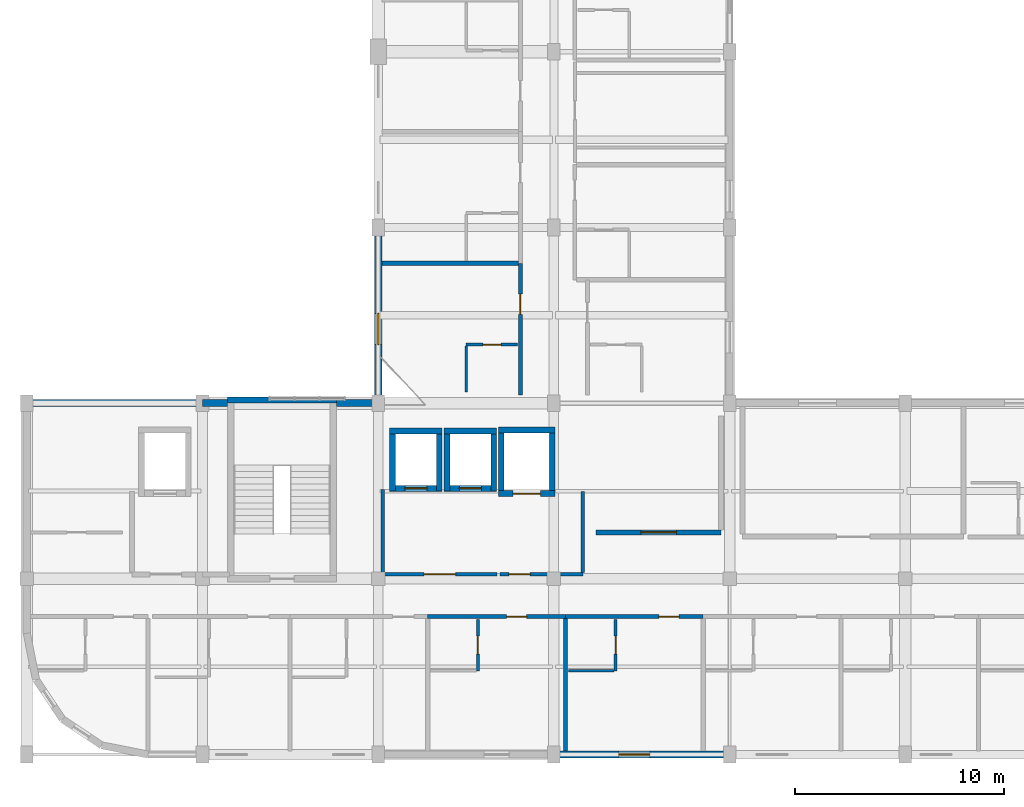
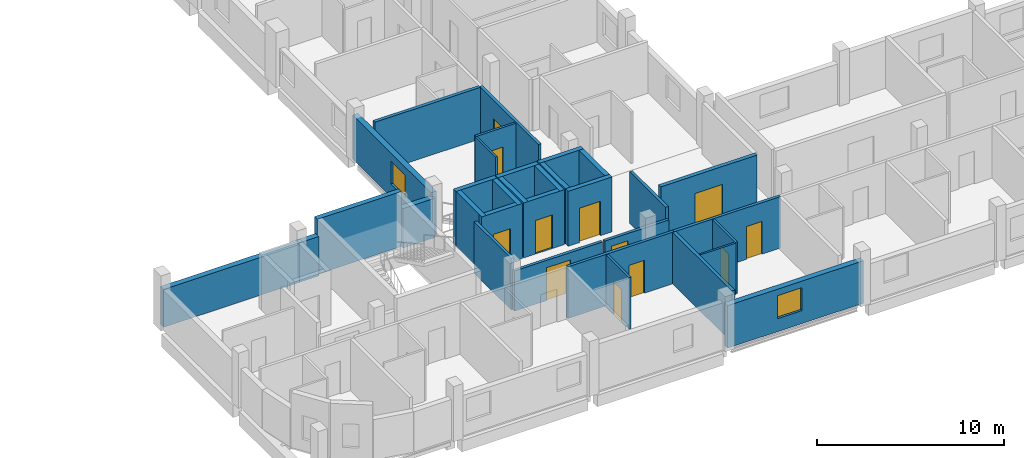
# One storey, part 13 of 26: 33 walls, 12 doors, 2 windows, 14 openings.
"""IFC4 building model written with IfcOpenShell, lengths in metres."""

from ifc_helpers import new_model, si_unit, derived_unit, direction, frame, frame_2d, origin, place, context, subcontext, project, spatial, rectangle, extrude, material, layer, layer_set, type_object, element, fill, save


model = new_model("IFC4")

# Units and contexts
model_context = context("Model", 3, precision=1e-05, world=origin(), true_north=direction((0.0, 1.0)))
body_context = subcontext(model_context, "Body", "Model", "MODEL_VIEW")
ifc_project = project(units=[si_unit("LENGTHUNIT", "METRE"), si_unit("AREAUNIT", "SQUARE_METRE"), si_unit("VOLUMEUNIT", "CUBIC_METRE"), si_unit("PLANEANGLEUNIT", "RADIAN"), si_unit("MASSUNIT", "GRAM", prefix="KILO"), derived_unit("THERMALTRANSMITTANCEUNIT", [(si_unit("POWERUNIT", "WATT"), 1), (si_unit("LENGTHUNIT", "METRE"), -2), (si_unit("THERMODYNAMICTEMPERATUREUNIT", "KELVIN"), -1)])], contexts=[model_context])

# Site, building, storey
site_placement = place(None, origin())
site = spatial("IfcSite", under=ifc_project, at=site_placement, CompositionType="ELEMENT")
building_placement = place(site_placement, origin())
building = spatial("IfcBuilding", under=site, at=building_placement, Name="Barrovel Congress Hotel", CompositionType="ELEMENT")
storey_placement = place(building_placement, frame((0.0, 0.0, 21.89990234375)))
storey = spatial("IfcBuildingStorey", under=building, at=storey_placement, Name="L05", CompositionType="ELEMENT", Elevation=21.89990234375)

# Walls
ifc_material_1 = material(Name="Fired Clay Brick Masonry", Category="masonry")
ifc_layer_1 = layer(ifc_material_1, 0.340087890625)
ifc_layer_set_1 = layer_set([ifc_layer_1], Name="Fired Clay Brick Masonry")
wall_type_1 = type_object("IfcWallType", Name="EW-BRK340", PredefinedType="STANDARD", material=ifc_layer_set_1)
wall_1_placement = place(storey_placement, frame((33.60009765625, 21.0, 0.0), z_axis=(0.0, 0.0, 1.0), x_axis=(-1.0, 0.0, 0.0)))
element("IfcWall", 1, at=wall_1_placement, inside=storey, type_object=wall_type_1, Name="EW:L05:HS-NW-1", PredefinedType="STANDARD", context=body_context, shape_type="SweptSolid", body=[
    extrude(rectangle(XDim=2.0, YDim=0.340087890625, at=frame_2d((1.0, 0.0))), origin(), (0.0, 0.0, 1.0), 2.580078125),
])
wall_2_placement = place(storey_placement, frame((25.199951171875, 21.0, 0.0), z_axis=(0.0, 0.0, 1.0), x_axis=(-1.0, 0.0, 0.0)))
element("IfcWall", 2, at=wall_2_placement, inside=storey, type_object=wall_type_1, Name="EW:L05:HS-NW-2", PredefinedType="STANDARD", context=body_context, shape_type="SweptSolid", body=[
    extrude(rectangle(XDim=8.39990234375, YDim=0.340087890625, at=frame_2d((4.199951171875, 0.0))), origin(), (0.0, 0.0, 1.0), 2.47998046875),
])

# Wall, opening, window
wall_3_placement = place(storey_placement, frame((42.0, 4.199951171875, 0.0), z_axis=(0.0, 0.0, 1.0), x_axis=(1.0, 0.0, 0.0)))
wall_3 = element("IfcWall", 3, at=wall_3_placement, inside=storey, type_object=wall_type_1, Name="EW:L05:HS-S:P03", PredefinedType="STANDARD", context=body_context, shape_type="SweptSolid", body=[
    extrude(rectangle(XDim=8.39990234375, YDim=0.340087890625, at=frame_2d((4.199951171875, 0.0))), origin(), (0.0, 0.0, 1.0), 2.780029296875),
])
opening_1_placement = place(wall_3_placement, frame((3.091796875, 0.0, 0.85009765625)))
opening_1 = element("IfcOpeningElement", 4, at=opening_1_placement, cuts=wall_3, Name="Opening WN-07", PredefinedType="OPENING", context=body_context, shape_type="SweptSolid", body=[
    extrude(rectangle(XDim=1.5, YDim=1.5, at=frame_2d((0.75, 0.75))), frame((0.0, 0.18017578125, 0.0), z_axis=(0.0, -1.0, 0.0), x_axis=(1.0, 0.0, 0.0)), (0.0, 0.0, 1.0), 0.360107421875),
])
ifc_material_2 = material(Name="Double Low-E Insulated Glazing", Category="glass")
window_type = type_object("IfcWindowType", Name="WIN-WN-07", PartitioningType="SINGLE_PANEL", PredefinedType="WINDOW", material=ifc_material_2)
window_1_placement = place(opening_1_placement, origin())
window_1 = element("IfcWindow", 5, at=window_1_placement, inside=storey, type_object=window_type, Name="WIN:L05:U05", OverallHeight=1.5, OverallWidth=1.5, PartitioningType="SINGLE_PANEL", PredefinedType="WINDOW", context=body_context, shape_type="SweptSolid", body=[
    extrude(rectangle(XDim=1.5, YDim=1.5, at=frame_2d((0.75, 0.75))), frame((0.0, 0.030029296875, 0.0), z_axis=(0.0, -1.0, 0.0), x_axis=(1.0, 0.0, 0.0)), (0.0, 0.0, 1.0), 0.06005859375),
])
fill(opening_1, window_1)

wall_4_placement = place(storey_placement, frame((33.60009765625, 29.39990234375, 0.0), z_axis=(0.0, 0.0, 1.0), x_axis=(0.0, -1.0, 0.0)))
wall_4 = element("IfcWall", 6, at=wall_4_placement, inside=storey, type_object=wall_type_1, Name="EW:L05:HW-W:P05", PredefinedType="STANDARD", context=body_context, shape_type="SweptSolid", body=[
    extrude(rectangle(XDim=8.39990234375, YDim=0.340087890625, at=frame_2d((4.199951171875, 0.0))), origin(), (0.0, 0.0, 1.0), 2.880126953125),
])
opening_2_placement = place(wall_4_placement, frame((4.105712890625, 0.0, 0.85009765625)))
opening_2 = element("IfcOpeningElement", 7, at=opening_2_placement, cuts=wall_4, Name="Opening WN-07", PredefinedType="OPENING", context=body_context, shape_type="SweptSolid", body=[
    extrude(rectangle(XDim=1.5, YDim=1.5, at=frame_2d((0.75, 0.75))), frame((0.0, 0.18017578125, 0.0), z_axis=(0.0, -1.0, 0.0), x_axis=(1.0, 0.0, 0.0)), (0.0, 0.0, 1.0), 0.360107421875),
])
window_2_placement = place(opening_2_placement, origin())
window_2 = element("IfcWindow", 8, at=window_2_placement, inside=storey, type_object=window_type, Name="WIN:L05:U33", OverallHeight=1.5, OverallWidth=1.5, PartitioningType="SINGLE_PANEL", PredefinedType="WINDOW", context=body_context, shape_type="SweptSolid", body=[
    extrude(rectangle(XDim=1.5, YDim=1.5, at=frame_2d((0.75, 0.75))), frame((0.0, 0.030029296875, 0.0), z_axis=(0.0, -1.0, 0.0), x_axis=(1.0, 0.0, 0.0)), (0.0, 0.0, 1.0), 0.06005859375),
])
fill(opening_2, window_2)

# Wall
wall_5_placement = place(storey_placement, frame((26.39990234375, 21.0, 0.0), z_axis=(0.0, 0.0, 1.0), x_axis=(-1.0, 0.0, 0.0)))
element("IfcWall", 9, at=wall_5_placement, inside=storey, type_object=wall_type_1, Name="EW:L05:HS-NW-2:P01", PredefinedType="STANDARD", context=body_context, shape_type="SweptSolid", body=[
    extrude(rectangle(XDim=1.199951171875, YDim=0.340087890625, at=frame_2d((0.60009765625, 0.0))), origin(), (0.0, 0.0, 1.0), 2.580078125),
])

# Wall, opening, door
ifc_material_3 = material(Name="Gypsum Acoustic Stud", Category="gypsum")
ifc_layer_2 = layer(ifc_material_3, 0.179931640625)
ifc_layer_set_2 = layer_set([ifc_layer_2], Name="Gypsum Acoustic Stud")
wall_type_2 = type_object("IfcWallType", Name="PW-ACU-180", PredefinedType="PARTITIONING", material=ifc_layer_set_2)
wall_6_placement = place(storey_placement, frame((35.966796875, 10.800048828125, 0.0), z_axis=(0.0, 0.0, 1.0), x_axis=(1.0, 0.0, 0.0)))
wall_6 = element("IfcWall", 10, at=wall_6_placement, inside=storey, type_object=wall_type_2, Name="PW:L05:U04:COR", PredefinedType="PARTITIONING", context=body_context, shape_type="SweptSolid", body=[
    extrude(rectangle(XDim=6.583251953125, YDim=0.179931640625, at=frame_2d((3.29150390625, 0.0))), origin(), (0.0, 0.0, 1.0), 3.375),
])
opening_3_placement = place(wall_6_placement, frame((3.7685546875, 0.0, 0.0)))
opening_3 = element("IfcOpeningElement", 11, at=opening_3_placement, cuts=wall_6, Name="Opening ID-HTL", PredefinedType="OPENING", context=body_context, shape_type="SweptSolid", body=[
    extrude(rectangle(XDim=0.9599609375, YDim=2.14990234375, at=frame_2d((0.47998046875, 1.074951171875))), frame((0.0, 0.10009765625, 0.0), z_axis=(0.0, -1.0, 0.0), x_axis=(1.0, 0.0, 0.0)), (0.0, 0.0, 1.0), 0.199951171875),
])
ifc_material_4 = material(Name="Solid Oak Acoustic Timber Door", Category="wood")
door_type_1 = type_object("IfcDoorType", Name="IDR-ID-HTL", OperationType="NOTDEFINED", PredefinedType="DOOR", material=ifc_material_4)
door_1_placement = place(opening_3_placement, origin())
door_1 = element("IfcDoor", 12, at=door_1_placement, inside=storey, type_object=door_type_1, Name="DR:L05:U04:ENT", OperationType="SINGLE_SWING_RIGHT", OverallHeight=2.14990234375, OverallWidth=0.9599609375, PredefinedType="DOOR", context=body_context, shape_type="SweptSolid", body=[
    extrude(rectangle(XDim=0.9599609375, YDim=2.14990234375, at=frame_2d((0.47998046875, 1.074951171875))), frame((0.0, 0.02490234375, 0.0), z_axis=(0.0, -1.0, 0.0), x_axis=(1.0, 0.0, 0.0)), (0.0, 0.0, 1.0), 0.050048828125),
])
fill(opening_3, door_1)

wall_7_placement = place(storey_placement, frame((42.550048828125, 10.800048828125, 0.0), z_axis=(0.0, 0.0, 1.0), x_axis=(1.0, 0.0, 0.0)))
wall_7 = element("IfcWall", 13, at=wall_7_placement, inside=storey, type_object=wall_type_2, Name="PW:L05:U05:COR", PredefinedType="PARTITIONING", context=body_context, shape_type="SweptSolid", body=[
    extrude(rectangle(XDim=6.583251953125, YDim=0.179931640625, at=frame_2d((3.29150390625, 0.0))), origin(), (0.0, 0.0, 1.0), 3.375),
])
opening_4_placement = place(wall_7_placement, frame((4.468505859375, 0.0, 0.0)))
opening_4 = element("IfcOpeningElement", 14, at=opening_4_placement, cuts=wall_7, Name="Opening ID-HTL", PredefinedType="OPENING", context=body_context, shape_type="SweptSolid", body=[
    extrude(rectangle(XDim=0.9599609375, YDim=2.14990234375, at=frame_2d((0.47998046875, 1.074951171875))), frame((0.0, 0.10009765625, 0.0), z_axis=(0.0, -1.0, 0.0), x_axis=(1.0, 0.0, 0.0)), (0.0, 0.0, 1.0), 0.199951171875),
])
door_2_placement = place(opening_4_placement, origin())
door_2 = element("IfcDoor", 15, at=door_2_placement, inside=storey, type_object=door_type_1, Name="DR:L05:U05:ENT", OperationType="SINGLE_SWING_RIGHT", OverallHeight=2.14990234375, OverallWidth=0.9599609375, PredefinedType="DOOR", context=body_context, shape_type="SweptSolid", body=[
    extrude(rectangle(XDim=0.9599609375, YDim=2.14990234375, at=frame_2d((0.47998046875, 1.074951171875))), frame((0.0, 0.02490234375, 0.0), z_axis=(0.0, -1.0, 0.0), x_axis=(1.0, 0.0, 0.0)), (0.0, 0.0, 1.0), 0.050048828125),
])
fill(opening_4, door_2)

wall_8_placement = place(storey_placement, frame((40.39990234375, 21.39990234375, 0.0), z_axis=(0.0, 0.0, 1.0), x_axis=(0.0, 1.0, 0.0)))
wall_8 = element("IfcWall", 16, at=wall_8_placement, inside=storey, type_object=wall_type_2, Name="PW:L05:U33:COR", PredefinedType="PARTITIONING", context=body_context, shape_type="SweptSolid", body=[
    extrude(rectangle(XDim=6.2890625, YDim=0.179931640625, at=frame_2d((3.14453125, 0.0))), origin(), (0.0, 0.0, 1.0), 3.375),
])
opening_5_placement = place(wall_8_placement, frame((3.849365234375, 0.0, 0.0)))
opening_5 = element("IfcOpeningElement", 17, at=opening_5_placement, cuts=wall_8, Name="Opening ID-HTL", PredefinedType="OPENING", context=body_context, shape_type="SweptSolid", body=[
    extrude(rectangle(XDim=0.9599609375, YDim=2.14990234375, at=frame_2d((0.47998046875, 1.074951171875))), frame((0.0, 0.10009765625, 0.0), z_axis=(0.0, -1.0, 0.0), x_axis=(1.0, 0.0, 0.0)), (0.0, 0.0, 1.0), 0.199951171875),
])
door_3_placement = place(opening_5_placement, origin())
door_3 = element("IfcDoor", 18, at=door_3_placement, inside=storey, type_object=door_type_1, Name="DR:L05:U33:ENT", OperationType="SINGLE_SWING_RIGHT", OverallHeight=2.14990234375, OverallWidth=0.9599609375, PredefinedType="DOOR", context=body_context, shape_type="SweptSolid", body=[
    extrude(rectangle(XDim=0.9599609375, YDim=2.14990234375, at=frame_2d((0.47998046875, 1.074951171875))), frame((0.0, 0.02490234375, 0.0), z_axis=(0.0, -1.0, 0.0), x_axis=(1.0, 0.0, 0.0)), (0.0, 0.0, 1.0), 0.050048828125),
])
fill(opening_5, door_3)

wall_9_placement = place(storey_placement, frame((33.820068359375, 12.820068359375, 0.0), z_axis=(0.0, 0.0, 1.0), x_axis=(1.0, 0.0, 0.0)))
wall_9 = element("IfcWall", 19, at=wall_9_placement, inside=storey, type_object=wall_type_2, Name="RW:SP:L05:LL-C1:S", PredefinedType="PARTITIONING", context=body_context, shape_type="SweptSolid", body=[
    extrude(rectangle(XDim=5.4599609375, YDim=0.179931640625, at=frame_2d((2.72998046875, 0.0))), origin(), (0.0, 0.0, 1.0), 2.630126953125),
])
opening_6_placement = place(wall_9_placement, frame((1.97998046875, 0.0, 0.0)))
opening_6 = element("IfcOpeningElement", 20, at=opening_6_placement, cuts=wall_9, Name="Opening ID-FFL", PredefinedType="OPENING", context=body_context, shape_type="SweptSolid", body=[
    extrude(rectangle(XDim=1.5, YDim=2.14990234375, at=frame_2d((0.75, 1.074951171875))), frame((0.0, 0.10009765625, 0.0), z_axis=(0.0, -1.0, 0.0), x_axis=(1.0, 0.0, 0.0)), (0.0, 0.0, 1.0), 0.199951171875),
])
ifc_material_5 = material(Name="Painted Hollow-Metal Steel Door", Category="steel")
door_type_2 = type_object("IfcDoorType", Name="IDR-ID-FFL", OperationType="NOTDEFINED", PredefinedType="DOOR", material=ifc_material_5)
door_4_placement = place(opening_6_placement, origin())
door_4 = element("IfcDoor", 21, at=door_4_placement, inside=storey, type_object=door_type_2, Name="RD:SP:L05:LL-C1", OperationType="DOUBLE_DOOR_SINGLE_SWING", OverallHeight=2.14990234375, OverallWidth=1.5, PredefinedType="DOOR", context=body_context, shape_type="SweptSolid", body=[
    extrude(rectangle(XDim=1.5, YDim=2.14990234375, at=frame_2d((0.75, 1.074951171875))), frame((0.0, 0.02490234375, 0.0), z_axis=(0.0, -1.0, 0.0), x_axis=(1.0, 0.0, 0.0)), (0.0, 0.0, 1.0), 0.050048828125),
])
fill(opening_6, door_4)

# Wall
wall_10_placement = place(storey_placement, frame((33.820068359375, 12.909912109375, 0.0), z_axis=(0.0, 0.0, 1.0), x_axis=(0.0, 1.0, 0.0)))
element("IfcWall", 22, at=wall_10_placement, inside=storey, type_object=wall_type_2, Name="RW:SP:L05:LL-C1:W", PredefinedType="PARTITIONING", context=body_context, shape_type="SweptSolid", body=[
    extrude(rectangle(XDim=3.969970703125, YDim=0.179931640625, at=frame_2d((1.98486328125, 0.0))), origin(), (0.0, 0.0, 1.0), 3.375),
])

# Wall, opening, door
wall_11_placement = place(storey_placement, frame((39.419921875, 12.820068359375, 0.0), z_axis=(0.0, 0.0, 1.0), x_axis=(1.0, 0.0, 0.0)))
wall_11 = element("IfcWall", 23, at=wall_11_placement, inside=storey, type_object=wall_type_2, Name="RW:SP:L05:LL-SL1:S", PredefinedType="PARTITIONING", context=body_context, shape_type="SweptSolid", body=[
    extrude(rectangle(XDim=3.9599609375, YDim=0.179931640625, at=frame_2d((1.97998046875, 0.0))), origin(), (0.0, 0.0, 1.0), 2.630126953125),
])
opening_7_placement = place(wall_11_placement, frame((0.419921875, 0.0, 0.0)))
opening_7 = element("IfcOpeningElement", 24, at=opening_7_placement, cuts=wall_11, Name="Opening ID-ACC", PredefinedType="OPENING", context=body_context, shape_type="SweptSolid", body=[
    extrude(rectangle(XDim=1.02001953125, YDim=2.14990234375, at=frame_2d((0.510009765625, 1.074951171875))), frame((0.0, 0.10009765625, 0.0), z_axis=(0.0, -1.0, 0.0), x_axis=(1.0, 0.0, 0.0)), (0.0, 0.0, 1.0), 0.199951171875),
])
door_type_3 = type_object("IfcDoorType", Name="IDR-ID-ACC", OperationType="NOTDEFINED", PredefinedType="DOOR", material=ifc_material_4)
door_5_placement = place(opening_7_placement, origin())
door_5 = element("IfcDoor", 25, at=door_5_placement, inside=storey, type_object=door_type_3, Name="RD:SP:L05:LL-SL1", OperationType="SINGLE_SWING_LEFT", OverallHeight=2.14990234375, OverallWidth=1.02001953125, PredefinedType="DOOR", context=body_context, shape_type="SweptSolid", body=[
    extrude(rectangle(XDim=1.02001953125, YDim=2.14990234375, at=frame_2d((0.510009765625, 1.074951171875))), frame((0.0, 0.02490234375, 0.0), z_axis=(0.0, -1.0, 0.0), x_axis=(1.0, 0.0, 0.0)), (0.0, 0.0, 1.0), 0.050048828125),
])
fill(opening_7, door_5)

# Walls
wall_12_placement = place(storey_placement, frame((43.3798828125, 12.909912109375, 0.0), z_axis=(0.0, 0.0, 1.0), x_axis=(0.0, 1.0, 0.0)))
element("IfcWall", 26, at=wall_12_placement, inside=storey, type_object=wall_type_2, Name="RW:SP:L05:LL-SL1:E", PredefinedType="PARTITIONING", context=body_context, shape_type="SweptSolid", body=[
    extrude(rectangle(XDim=3.8701171875, YDim=0.179931640625, at=frame_2d((1.93505859375, 0.0))), origin(), (0.0, 0.0, 1.0), 3.375),
])
ifc_layer_3 = layer(ifc_material_3, 0.1201171875)
ifc_layer_set_3 = layer_set([ifc_layer_3], Name="Gypsum Acoustic Stud")
wall_type_3 = type_object("IfcWallType", Name="PW-INT-120", PredefinedType="PARTITIONING", material=ifc_layer_set_3)
for number, where, z_axis, x_axis, name in (
    (27, (42.68994140625, 8.199951171875, 0.0), (0.0, 0.0, 1.0), (1.0, 0.0, 0.0), "PW:L05:U05:B2"),
    (28, (37.800048828125, 21.5400390625, 0.0), (0.0, 0.0, 1.0), (0.0, 1.0, 0.0), "PW:L05:U33:B2"),
):
    element("IfcWall", number, at=place(storey_placement, frame(where, z_axis=z_axis, x_axis=x_axis)), inside=storey, type_object=wall_type_3, Name=name, PredefinedType="PARTITIONING", context=body_context, shape_type="SweptSolid", body=[
        extrude(rectangle(XDim=2.18994140625, YDim=0.1201171875, at=frame_2d((1.094970703125, 0.0))), origin(), (0.0, 0.0, 1.0), 3.375),
    ])
ifc_layer_4 = layer(ifc_material_1, 0.199951171875)
ifc_layer_set_4 = layer_set([ifc_layer_4], Name="Fired Clay Brick Masonry")
wall_type_4 = type_object("IfcWallType", Name="PW-MAS-200", PredefinedType="PARTITIONING", material=ifc_layer_set_4)
wall_13_placement = place(storey_placement, frame((42.550048828125, 4.3701171875, 0.0), z_axis=(0.0, 0.0, 1.0), x_axis=(0.0, 1.0, 0.0)))
element("IfcWall", 29, at=wall_13_placement, inside=storey, type_object=wall_type_4, Name="PW:L05:U04:DEM", PredefinedType="PARTITIONING", context=body_context, shape_type="SweptSolid", body=[
    extrude(rectangle(XDim=6.33984375, YDim=0.199951171875, at=frame_2d((3.169921875, 0.0))), origin(), (0.0, 0.0, 1.0), 3.375),
])
wall_14_placement = place(storey_placement, frame((33.77001953125, 27.68896484375, 0.0), z_axis=(0.0, 0.0, 1.0), x_axis=(1.0, 0.0, 0.0)))
element("IfcWall", 30, at=wall_14_placement, inside=storey, type_object=wall_type_4, Name="PW:L05:U33:DEM", PredefinedType="PARTITIONING", context=body_context, shape_type="SweptSolid", body=[
    extrude(rectangle(XDim=6.5400390625, YDim=0.199951171875, at=frame_2d((3.27001953125, 0.0))), origin(), (0.0, 0.0, 1.0), 3.375),
])

# Wall, opening, door
ifc_layer_5 = layer(ifc_material_1, 0.239990234375)
ifc_layer_set_5 = layer_set([ifc_layer_5], Name="Fired Clay Brick Masonry")
wall_type_5 = type_object("IfcWallType", Name="PW-MAS-240", PredefinedType="PARTITIONING", material=ifc_layer_set_5)
wall_15_placement = place(storey_placement, frame((44.02001953125, 14.820068359375, 0.0), z_axis=(0.0, 0.0, 1.0), x_axis=(1.0, 0.0, 0.0)))
wall_15 = element("IfcWall", 31, at=wall_15_placement, inside=storey, type_object=wall_type_5, Name="RW:SP:L05:LINEN:S", PredefinedType="PARTITIONING", context=body_context, shape_type="SweptSolid", body=[
    extrude(rectangle(XDim=5.9599609375, YDim=0.239990234375, at=frame_2d((2.97998046875, 0.0))), origin(), (0.0, 0.0, 1.0), 3.375),
])
opening_8_placement = place(wall_15_placement, frame((2.1298828125, 0.0, 0.0)))
opening_8 = element("IfcOpeningElement", 32, at=opening_8_placement, cuts=wall_15, Name="Opening ID-KIT", PredefinedType="OPENING", context=body_context, shape_type="SweptSolid", body=[
    extrude(rectangle(XDim=1.699951171875, YDim=2.199951171875, at=frame_2d((0.85009765625, 1.10009765625))), frame((0.0, 0.1298828125, 0.0), z_axis=(0.0, -1.0, 0.0), x_axis=(1.0, 0.0, 0.0)), (0.0, 0.0, 1.0), 0.260009765625),
])
ifc_material_6 = material(Name="Brushed Stainless Steel", Category="steel")
door_type_4 = type_object("IfcDoorType", Name="IDR-ID-KIT", OperationType="NOTDEFINED", PredefinedType="DOOR", material=ifc_material_6)
door_6_placement = place(opening_8_placement, origin())
door_6 = element("IfcDoor", 33, at=door_6_placement, inside=storey, type_object=door_type_4, Name="RD:SP:L05:LINEN", OperationType="DOUBLE_DOOR_SINGLE_SWING", OverallHeight=2.199951171875, OverallWidth=1.699951171875, PredefinedType="DOOR", context=body_context, shape_type="SweptSolid", body=[
    extrude(rectangle(XDim=1.699951171875, YDim=2.199951171875, at=frame_2d((0.85009765625, 1.10009765625))), frame((0.0, 0.02490234375, 0.0), z_axis=(0.0, -1.0, 0.0), x_axis=(1.0, 0.0, 0.0)), (0.0, 0.0, 1.0), 0.050048828125),
])
fill(opening_8, door_6)

ifc_material_7 = material(Name="Gypsum Moisture Board", Category="gypsum")
ifc_layer_6 = layer(ifc_material_7, 0.139892578125)
ifc_layer_set_6 = layer_set([ifc_layer_6], Name="Gypsum Moisture Board")
wall_type_6 = type_object("IfcWallType", Name="PW-WET-140", PredefinedType="PARTITIONING", material=ifc_layer_set_6)
wall_16_placement = place(storey_placement, frame((38.36669921875, 8.199951171875, 0.0), z_axis=(0.0, 0.0, 1.0), x_axis=(0.0, 1.0, 0.0)))
wall_16 = element("IfcWall", 34, at=wall_16_placement, inside=storey, type_object=wall_type_6, Name="PW:L05:U04:B1", PredefinedType="PARTITIONING", context=body_context, shape_type="SweptSolid", body=[
    extrude(rectangle(XDim=2.4599609375, YDim=0.139892578125, at=frame_2d((1.22998046875, 0.0))), origin(), (0.0, 0.0, 1.0), 3.375),
])
opening_9_placement = place(wall_16_placement, frame((0.800048828125, 0.0, 0.0)))
opening_9 = element("IfcOpeningElement", 35, at=opening_9_placement, cuts=wall_16, Name="Opening ID-ENS", PredefinedType="OPENING", context=body_context, shape_type="SweptSolid", body=[
    extrude(rectangle(XDim=0.860107421875, YDim=2.10009765625, at=frame_2d((0.43017578125, 1.050048828125))), frame((0.0, 0.080078125, 0.0), z_axis=(0.0, -1.0, 0.0), x_axis=(1.0, 0.0, 0.0)), (0.0, 0.0, 1.0), 0.159912109375),
])
ifc_material_8 = material(Name="Lacquered Timber Moisture Door", Category="wood")
door_type_5 = type_object("IfcDoorType", Name="IDR-ID-ENS", OperationType="NOTDEFINED", PredefinedType="DOOR", material=ifc_material_8)
door_7_placement = place(opening_9_placement, origin())
door_7 = element("IfcDoor", 36, at=door_7_placement, inside=storey, type_object=door_type_5, Name="DR:L05:U04:ENS", OperationType="SINGLE_SWING_LEFT", OverallHeight=2.10009765625, OverallWidth=0.860107421875, PredefinedType="DOOR", context=body_context, shape_type="SweptSolid", body=[
    extrude(rectangle(XDim=0.860107421875, YDim=2.10009765625, at=frame_2d((0.43017578125, 1.050048828125))), frame((0.0, 0.02490234375, 0.0), z_axis=(0.0, -1.0, 0.0), x_axis=(1.0, 0.0, 0.0)), (0.0, 0.0, 1.0), 0.050048828125),
])
fill(opening_9, door_7)

wall_17_placement = place(storey_placement, frame((44.949951171875, 8.199951171875, 0.0), z_axis=(0.0, 0.0, 1.0), x_axis=(0.0, 1.0, 0.0)))
wall_17 = element("IfcWall", 37, at=wall_17_placement, inside=storey, type_object=wall_type_6, Name="PW:L05:U05:B1", PredefinedType="PARTITIONING", context=body_context, shape_type="SweptSolid", body=[
    extrude(rectangle(XDim=2.4599609375, YDim=0.139892578125, at=frame_2d((1.22998046875, 0.0))), origin(), (0.0, 0.0, 1.0), 3.375),
])
opening_10_placement = place(wall_17_placement, frame((0.800048828125, 0.0, 0.0)))
opening_10 = element("IfcOpeningElement", 38, at=opening_10_placement, cuts=wall_17, Name="Opening ID-ENS", PredefinedType="OPENING", context=body_context, shape_type="SweptSolid", body=[
    extrude(rectangle(XDim=0.860107421875, YDim=2.10009765625, at=frame_2d((0.43017578125, 1.050048828125))), frame((0.0, 0.080078125, 0.0), z_axis=(0.0, -1.0, 0.0), x_axis=(1.0, 0.0, 0.0)), (0.0, 0.0, 1.0), 0.159912109375),
])
door_8_placement = place(opening_10_placement, origin())
door_8 = element("IfcDoor", 39, at=door_8_placement, inside=storey, type_object=door_type_5, Name="DR:L05:U05:ENS", OperationType="SINGLE_SWING_LEFT", OverallHeight=2.10009765625, OverallWidth=0.860107421875, PredefinedType="DOOR", context=body_context, shape_type="SweptSolid", body=[
    extrude(rectangle(XDim=0.860107421875, YDim=2.10009765625, at=frame_2d((0.43017578125, 1.050048828125))), frame((0.0, 0.02490234375, 0.0), z_axis=(0.0, -1.0, 0.0), x_axis=(1.0, 0.0, 0.0)), (0.0, 0.0, 1.0), 0.050048828125),
])
fill(opening_10, door_8)

wall_18_placement = place(storey_placement, frame((37.800048828125, 23.800048828125, 0.0), z_axis=(0.0, 0.0, 1.0), x_axis=(1.0, 0.0, 0.0)))
wall_18 = element("IfcWall", 40, at=wall_18_placement, inside=storey, type_object=wall_type_6, Name="PW:L05:U33:B1", PredefinedType="PARTITIONING", context=body_context, shape_type="SweptSolid", body=[
    extrude(rectangle(XDim=2.4599609375, YDim=0.139892578125, at=frame_2d((1.22998046875, 0.0))), origin(), (0.0, 0.0, 1.0), 3.375),
])
opening_11_placement = place(wall_18_placement, frame((0.800048828125, 0.0, 0.0)))
opening_11 = element("IfcOpeningElement", 41, at=opening_11_placement, cuts=wall_18, Name="Opening ID-ENS", PredefinedType="OPENING", context=body_context, shape_type="SweptSolid", body=[
    extrude(rectangle(XDim=0.860107421875, YDim=2.10009765625, at=frame_2d((0.43017578125, 1.050048828125))), frame((0.0, 0.080078125, 0.0), z_axis=(0.0, -1.0, 0.0), x_axis=(1.0, 0.0, 0.0)), (0.0, 0.0, 1.0), 0.159912109375),
])
door_9_placement = place(opening_11_placement, origin())
door_9 = element("IfcDoor", 42, at=door_9_placement, inside=storey, type_object=door_type_5, Name="DR:L05:U33:ENS", OperationType="SINGLE_SWING_LEFT", OverallHeight=2.10009765625, OverallWidth=0.860107421875, PredefinedType="DOOR", context=body_context, shape_type="SweptSolid", body=[
    extrude(rectangle(XDim=0.860107421875, YDim=2.10009765625, at=frame_2d((0.43017578125, 1.050048828125))), frame((0.0, 0.02490234375, 0.0), z_axis=(0.0, -1.0, 0.0), x_axis=(1.0, 0.0, 0.0)), (0.0, 0.0, 1.0), 0.050048828125),
])
fill(opening_11, door_9)

ifc_material_9 = material(Name="Concrete C40", Category="concrete")
ifc_layer_7 = layer(ifc_material_9, 0.280029296875)
ifc_layer_set_7 = layer_set([ifc_layer_7], Name="Concrete C40")
wall_type_7 = type_object("IfcWallType", Name="SW-C40-280", PredefinedType="SHEAR", material=ifc_layer_set_7)
wall_19_placement = place(storey_placement, frame((34.139892578125, 16.929931640625, 0.0), z_axis=(0.0, 0.0, 1.0), x_axis=(1.0, 0.0, 0.0)))
wall_19 = element("IfcWall", 43, at=wall_19_placement, inside=storey, type_object=wall_type_7, Name="LSH:PL-1:L05:S", PredefinedType="SHEAR", context=body_context, shape_type="SweptSolid", body=[
    extrude(rectangle(XDim=2.52001953125, YDim=0.280029296875, at=frame_2d((1.260009765625, 0.0))), origin(), (0.0, 0.0, 1.0), 3.60009765625),
])
opening_12_placement = place(wall_19_placement, frame((0.735107421875, 0.0, 0.0)))
opening_12 = element("IfcOpeningElement", 44, at=opening_12_placement, cuts=wall_19, Name="Opening LD-PAX", PredefinedType="OPENING", context=body_context, shape_type="SweptSolid", body=[
    extrude(rectangle(XDim=1.050048828125, YDim=2.199951171875, at=frame_2d((0.52490234375, 1.10009765625))), frame((0.0, 0.14990234375, 0.0), z_axis=(0.0, -1.0, 0.0), x_axis=(1.0, 0.0, 0.0)), (0.0, 0.0, 1.0), 0.300048828125),
])
door_type_6 = type_object("IfcDoorType", Name="IDR-LD-PAX", OperationType="NOTDEFINED", PredefinedType="DOOR", material=ifc_material_6)
door_10_placement = place(opening_12_placement, origin())
door_10 = element("IfcDoor", 45, at=door_10_placement, inside=storey, type_object=door_type_6, Name="Lift Landing Door LD-PL-1-L05", OperationType="SLIDING_TO_LEFT", OverallHeight=2.199951171875, OverallWidth=1.050048828125, PredefinedType="DOOR", context=body_context, shape_type="SweptSolid", body=[
    extrude(rectangle(XDim=1.050048828125, YDim=2.199951171875, at=frame_2d((0.52490234375, 1.10009765625))), frame((0.0, 0.02490234375, 0.0), z_axis=(0.0, -1.0, 0.0), x_axis=(1.0, 0.0, 0.0)), (0.0, 0.0, 1.0), 0.050048828125),
])
fill(opening_12, door_10)

# Walls
wall_20_placement = place(storey_placement, frame((36.52001953125, 16.7900390625, 0.0), z_axis=(0.0, 0.0, 1.0), x_axis=(0.0, 1.0, 0.0)))
element("IfcWall", 46, at=wall_20_placement, inside=storey, type_object=wall_type_7, Name="LSH:PL-1:L05:E", PredefinedType="SHEAR", context=body_context, shape_type="SweptSolid", body=[
    extrude(rectangle(XDim=3.02001953125, YDim=0.280029296875, at=frame_2d((1.510009765625, 0.0))), origin(), (0.0, 0.0, 1.0), 3.60009765625),
])
wall_21_placement = place(storey_placement, frame((36.659912109375, 19.669921875, 0.0), z_axis=(0.0, 0.0, 1.0), x_axis=(-1.0, 0.0, 0.0)))
element("IfcWall", 47, at=wall_21_placement, inside=storey, type_object=wall_type_7, Name="LSH:PL-1:L05:N", PredefinedType="SHEAR", context=body_context, shape_type="SweptSolid", body=[
    extrude(rectangle(XDim=2.52001953125, YDim=0.280029296875, at=frame_2d((1.260009765625, 0.0))), origin(), (0.0, 0.0, 1.0), 3.60009765625),
])
wall_22_placement = place(storey_placement, frame((34.280029296875, 19.81005859375, 0.0), z_axis=(0.0, 0.0, 1.0), x_axis=(0.0, -1.0, 0.0)))
element("IfcWall", 48, at=wall_22_placement, inside=storey, type_object=wall_type_7, Name="LSH:PL-1:L05:W", PredefinedType="SHEAR", context=body_context, shape_type="SweptSolid", body=[
    extrude(rectangle(XDim=3.02001953125, YDim=0.280029296875, at=frame_2d((1.510009765625, 0.0))), origin(), (0.0, 0.0, 1.0), 3.60009765625),
])

# Wall, opening, door
wall_23_placement = place(storey_placement, frame((36.739990234375, 16.929931640625, 0.0), z_axis=(0.0, 0.0, 1.0), x_axis=(1.0, 0.0, 0.0)))
wall_23 = element("IfcWall", 49, at=wall_23_placement, inside=storey, type_object=wall_type_7, Name="LSH:PL-2:L05:S", PredefinedType="SHEAR", context=body_context, shape_type="SweptSolid", body=[
    extrude(rectangle(XDim=2.52001953125, YDim=0.280029296875, at=frame_2d((1.260009765625, 0.0))), origin(), (0.0, 0.0, 1.0), 3.60009765625),
])
opening_13_placement = place(wall_23_placement, frame((0.735107421875, 0.0, 0.0)))
opening_13 = element("IfcOpeningElement", 50, at=opening_13_placement, cuts=wall_23, Name="Opening LD-PAX", PredefinedType="OPENING", context=body_context, shape_type="SweptSolid", body=[
    extrude(rectangle(XDim=1.050048828125, YDim=2.199951171875, at=frame_2d((0.52490234375, 1.10009765625))), frame((0.0, 0.14990234375, 0.0), z_axis=(0.0, -1.0, 0.0), x_axis=(1.0, 0.0, 0.0)), (0.0, 0.0, 1.0), 0.300048828125),
])
door_11_placement = place(opening_13_placement, origin())
door_11 = element("IfcDoor", 51, at=door_11_placement, inside=storey, type_object=door_type_6, Name="Lift Landing Door LD-PL-2-L05", OperationType="SLIDING_TO_LEFT", OverallHeight=2.199951171875, OverallWidth=1.050048828125, PredefinedType="DOOR", context=body_context, shape_type="SweptSolid", body=[
    extrude(rectangle(XDim=1.050048828125, YDim=2.199951171875, at=frame_2d((0.52490234375, 1.10009765625))), frame((0.0, 0.02490234375, 0.0), z_axis=(0.0, -1.0, 0.0), x_axis=(1.0, 0.0, 0.0)), (0.0, 0.0, 1.0), 0.050048828125),
])
fill(opening_13, door_11)

# Walls
wall_24_placement = place(storey_placement, frame((39.1201171875, 16.7900390625, 0.0), z_axis=(0.0, 0.0, 1.0), x_axis=(0.0, 1.0, 0.0)))
element("IfcWall", 52, at=wall_24_placement, inside=storey, type_object=wall_type_7, Name="LSH:PL-2:L05:E", PredefinedType="SHEAR", context=body_context, shape_type="SweptSolid", body=[
    extrude(rectangle(XDim=3.02001953125, YDim=0.280029296875, at=frame_2d((1.510009765625, 0.0))), origin(), (0.0, 0.0, 1.0), 3.60009765625),
])
wall_25_placement = place(storey_placement, frame((39.260009765625, 19.669921875, 0.0), z_axis=(0.0, 0.0, 1.0), x_axis=(-1.0, 0.0, 0.0)))
element("IfcWall", 53, at=wall_25_placement, inside=storey, type_object=wall_type_7, Name="LSH:PL-2:L05:N", PredefinedType="SHEAR", context=body_context, shape_type="SweptSolid", body=[
    extrude(rectangle(XDim=2.52001953125, YDim=0.280029296875, at=frame_2d((1.260009765625, 0.0))), origin(), (0.0, 0.0, 1.0), 3.60009765625),
])
wall_26_placement = place(storey_placement, frame((36.8798828125, 19.81005859375, 0.0), z_axis=(0.0, 0.0, 1.0), x_axis=(0.0, -1.0, 0.0)))
element("IfcWall", 54, at=wall_26_placement, inside=storey, type_object=wall_type_7, Name="LSH:PL-2:L05:W", PredefinedType="SHEAR", context=body_context, shape_type="SweptSolid", body=[
    extrude(rectangle(XDim=3.02001953125, YDim=0.280029296875, at=frame_2d((1.510009765625, 0.0))), origin(), (0.0, 0.0, 1.0), 3.60009765625),
])

# Wall, opening, door
wall_27_placement = place(storey_placement, frame((39.340087890625, 16.679931640625, 0.0), z_axis=(0.0, 0.0, 1.0), x_axis=(1.0, 0.0, 0.0)))
wall_27 = element("IfcWall", 55, at=wall_27_placement, inside=storey, type_object=wall_type_7, Name="LSH:SL-1:L05:S", PredefinedType="SHEAR", context=body_context, shape_type="SweptSolid", body=[
    extrude(rectangle(XDim=2.719970703125, YDim=0.280029296875, at=frame_2d((1.35986328125, 0.0))), origin(), (0.0, 0.0, 1.0), 3.60009765625),
])
opening_14_placement = place(wall_27_placement, frame((0.7099609375, 0.0, 0.0)))
opening_14 = element("IfcOpeningElement", 56, at=opening_14_placement, cuts=wall_27, Name="Opening LD-SRV", PredefinedType="OPENING", context=body_context, shape_type="SweptSolid", body=[
    extrude(rectangle(XDim=1.300048828125, YDim=2.25, at=frame_2d((0.64990234375, 1.125))), frame((0.0, 0.14990234375, 0.0), z_axis=(0.0, -1.0, 0.0), x_axis=(1.0, 0.0, 0.0)), (0.0, 0.0, 1.0), 0.300048828125),
])
door_type_7 = type_object("IfcDoorType", Name="IDR-LD-SRV", OperationType="NOTDEFINED", PredefinedType="DOOR", material=ifc_material_6)
door_12_placement = place(opening_14_placement, origin())
door_12 = element("IfcDoor", 57, at=door_12_placement, inside=storey, type_object=door_type_7, Name="Lift Landing Door LD-SL-1-L05", OperationType="SLIDING_TO_LEFT", OverallHeight=2.25, OverallWidth=1.300048828125, PredefinedType="DOOR", context=body_context, shape_type="SweptSolid", body=[
    extrude(rectangle(XDim=1.300048828125, YDim=2.25, at=frame_2d((0.64990234375, 1.125))), frame((0.0, 0.02490234375, 0.0), z_axis=(0.0, -1.0, 0.0), x_axis=(1.0, 0.0, 0.0)), (0.0, 0.0, 1.0), 0.050048828125),
])
fill(opening_14, door_12)

# Walls
wall_28_placement = place(storey_placement, frame((41.919921875, 16.5400390625, 0.0), z_axis=(0.0, 0.0, 1.0), x_axis=(0.0, 1.0, 0.0)))
element("IfcWall", 58, at=wall_28_placement, inside=storey, type_object=wall_type_7, Name="LSH:SL-1:L05:E", PredefinedType="SHEAR", context=body_context, shape_type="SweptSolid", body=[
    extrude(rectangle(XDim=3.320068359375, YDim=0.280029296875, at=frame_2d((1.66015625, 0.0))), origin(), (0.0, 0.0, 1.0), 3.60009765625),
])
wall_29_placement = place(storey_placement, frame((42.06005859375, 19.719970703125, 0.0), z_axis=(0.0, 0.0, 1.0), x_axis=(-1.0, 0.0, 0.0)))
element("IfcWall", 59, at=wall_29_placement, inside=storey, type_object=wall_type_7, Name="LSH:SL-1:L05:N", PredefinedType="SHEAR", context=body_context, shape_type="SweptSolid", body=[
    extrude(rectangle(XDim=2.719970703125, YDim=0.280029296875, at=frame_2d((1.35986328125, 0.0))), origin(), (0.0, 0.0, 1.0), 3.60009765625),
])
wall_30_placement = place(storey_placement, frame((39.47998046875, 19.860107421875, 0.0), z_axis=(0.0, 0.0, 1.0), x_axis=(0.0, -1.0, 0.0)))
element("IfcWall", 60, at=wall_30_placement, inside=storey, type_object=wall_type_7, Name="LSH:SL-1:L05:W", PredefinedType="SHEAR", context=body_context, shape_type="SweptSolid", body=[
    extrude(rectangle(XDim=3.320068359375, YDim=0.280029296875, at=frame_2d((1.66015625, 0.0))), origin(), (0.0, 0.0, 1.0), 3.60009765625),
])
ifc_layer_8 = layer(ifc_material_9, 0.300048828125)
ifc_layer_set_8 = layer_set([ifc_layer_8], Name="Concrete C40")
wall_type_8 = type_object("IfcWallType", Name="SW-C40-300", PredefinedType="SHEAR", material=ifc_layer_set_8)
wall_31_placement = place(storey_placement, frame((31.60009765625, 21.14990234375, 0.0), z_axis=(0.0, 0.0, 1.0), x_axis=(-1.0, 0.0, 0.0)))
element("IfcWall", 61, at=wall_31_placement, inside=storey, type_object=wall_type_8, Name="SHW:XS-01:L05:N", PredefinedType="SHEAR", context=body_context, shape_type="SweptSolid", body=[
    extrude(rectangle(XDim=5.2001953125, YDim=0.300048828125, at=frame_2d((2.60009765625, 0.0))), origin(), (0.0, 0.0, 1.0), 3.60009765625),
])

save(model, "model.ifc")
